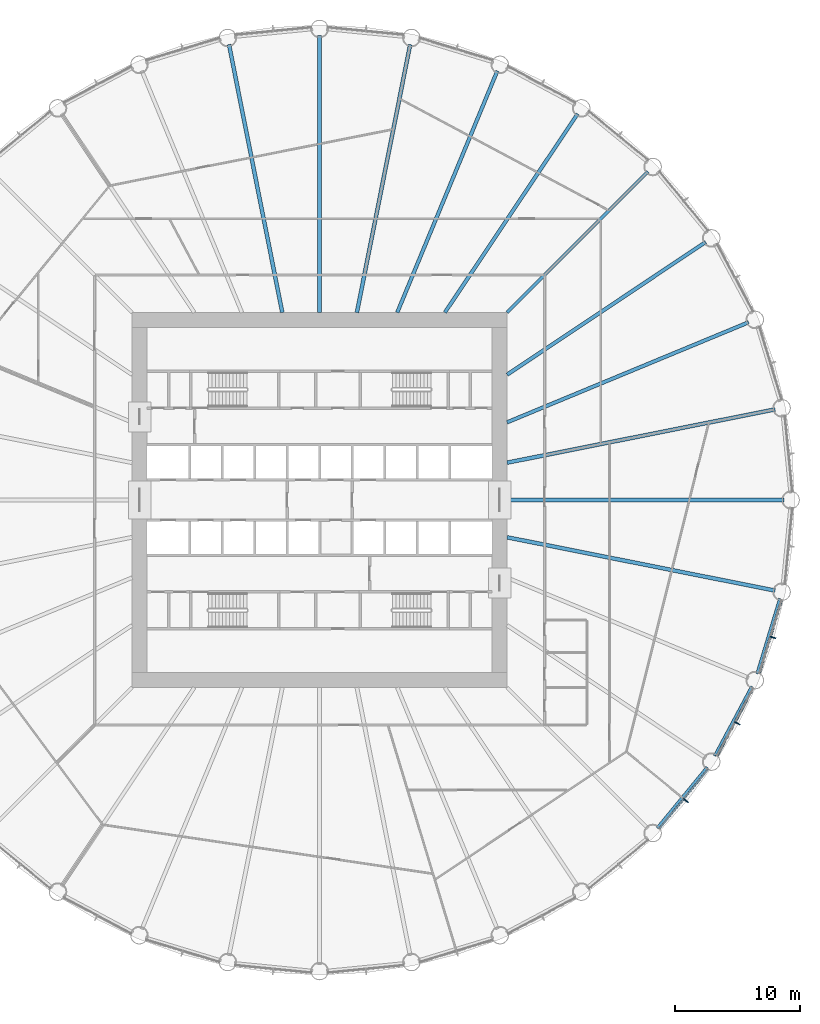
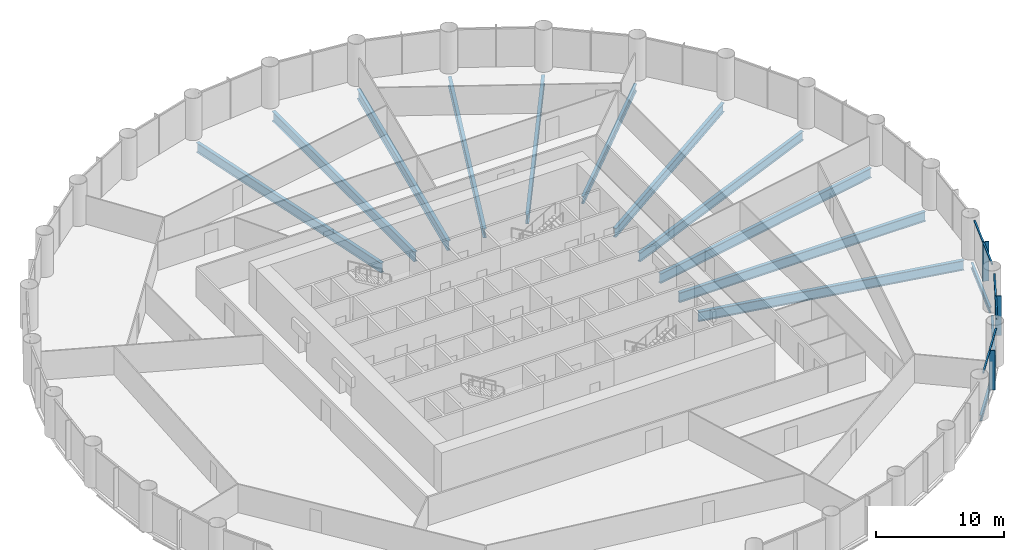
# One storey, part 5 of 15: 14 beams, 9 members, 3 elements without a shape of their own.
"""IFC4 building model written with IfcOpenShell, lengths in metres."""

from ifc_helpers import new_model, si_unit, direction, frame, origin, origin_2d, place, context, subcontext, project, spatial, rectangle, i_section, extrude, material, material_profile, profile_set, type_object, element, aggregate, save


model = new_model("IFC4")

# Units and contexts
model_context = context("Model", 3, precision=1e-05, world=origin(), true_north=direction((0.0, 1.0)))
body_context = subcontext(model_context, "Body", "Model", "MODEL_VIEW")
ifc_project = project(units=[si_unit("LENGTHUNIT", "METRE"), si_unit("AREAUNIT", "SQUARE_METRE"), si_unit("VOLUMEUNIT", "CUBIC_METRE"), si_unit("PLANEANGLEUNIT", "RADIAN"), si_unit("MASSUNIT", "GRAM", prefix="KILO")], contexts=[model_context])

# Site, building, storey
site_placement = place(None, origin())
site = spatial("IfcSite", under=ifc_project, at=site_placement, CompositionType="ELEMENT")
building_placement = place(site_placement, origin())
building = spatial("IfcBuilding", under=site, at=building_placement, Name="Corvane Civic Tower", CompositionType="ELEMENT")
storey_placement = place(building_placement, frame((0.0, 0.0, 69.0)))
storey = spatial("IfcBuildingStorey", under=building, at=storey_placement, Name="L15", CompositionType="ELEMENT", Elevation=69.0)

# Beams
ifc_material_1 = material(Name="Steel ASTM A992 Gr 50", Category="steel")
ifc_material_profile_1 = material_profile(ifc_material_1, i_section(OverallWidth=0.209228515625, OverallDepth=0.533447265625, WebThickness=0.01025390625, FlangeThickness=0.015625, at=origin_2d()), Name="W21X62")
ifc_profile_set_1 = profile_set([ifc_material_profile_1], Name="Steel ASTM A992 Gr 50")
beam_type_1 = type_object("IfcBeamType", Name="EDGE BEAM W21X62", PredefinedType="BEAM", material=ifc_profile_set_1)
for number, where, z_axis, x_axis, name in (
    (1, (36.81591796875, -7.88134765625, -0.566650390625), (-0.290273452184, -0.956943740748, 0.0), (0.956943740748, -0.290273452184, 0.0), "BM-L15-E10"),
    (2, (34.571044921875, -14.912353515625, -0.566650390625), (-0.471405897311, -0.881916367906, 0.0), (0.881916367906, -0.471405897311, 0.0), "BM-L15-E11"),
):
    element("IfcBeam", number, at=place(storey_placement, frame(where, z_axis=z_axis, x_axis=x_axis)), inside=storey, type_object=beam_type_1, Name=name, PredefinedType="BEAM", context=body_context, shape_type="SweptSolid", body=[
        extrude(i_section(OverallWidth=0.209228515625, OverallDepth=0.533447265625, WebThickness=0.01025390625, FlangeThickness=0.015625, at=origin_2d()), origin(), (0.0, 0.0, 1.0), 6.290283203125),
    ])
beam_1_placement = place(storey_placement, frame((30.99755859375, -21.3701171875, -0.566650390625), z_axis=(-0.634386787141, -0.773015785286, 0.0), x_axis=(0.773015785286, -0.634386787141, 0.0)))
element("IfcBeam", 3, at=beam_1_placement, inside=storey, type_object=beam_type_1, Name="BM-L15-E12", PredefinedType="BEAM", context=body_context, shape_type="SweptSolid", body=[
    extrude(i_section(OverallWidth=0.209228515625, OverallDepth=0.533447265625, WebThickness=0.01025390625, FlangeThickness=0.015625, at=origin_2d()), origin(), (0.0, 0.0, 1.0), 6.290771484375),
])
ifc_material_2 = material(Name="Steel ASTM A992 Gr 50", Category="steel")
ifc_material_profile_2 = material_profile(ifc_material_2, i_section(OverallWidth=0.256591796875, OverallDepth=0.693359375, WebThickness=0.014404296875, FlangeThickness=0.023681640625, at=origin_2d()), Name="W27X114")
ifc_profile_set_2 = profile_set([ifc_material_profile_2], Name="Steel ASTM A992 Gr 50")
beam_type_2 = type_object("IfcBeamType", Name="FLOOR GIRDER W27X114", PredefinedType="BEAM", material=ifc_profile_set_2)
beam_2_placement = place(storey_placement, frame((15.0, 15.0, -0.646728515625), z_axis=(0.707106781187, 0.707106781187, 0.0), x_axis=(-0.707106781187, 0.707106781187, 0.0)))
element("IfcBeam", 4, at=beam_2_placement, inside=storey, type_object=beam_type_2, Name="BM-L15-G05", PredefinedType="BEAM", context=body_context, shape_type="SweptSolid", body=[
    extrude(i_section(OverallWidth=0.256591796875, OverallDepth=0.693359375, WebThickness=0.014404296875, FlangeThickness=0.023681640625, at=origin_2d()), origin(), (0.0, 0.0, 1.0), 15.936767578125),
])
ifc_material_3 = material(Name="Steel ASTM A992 Gr 50", Category="steel")
ifc_material_profile_3 = material_profile(ifc_material_3, i_section(OverallWidth=0.2919921875, OverallDepth=0.8583984375, WebThickness=0.01708984375, FlangeThickness=0.031005859375, at=origin_2d()), Name="W33X169")
ifc_profile_set_3 = profile_set([ifc_material_profile_3], Name="Steel ASTM A992 Gr 50")
beam_type_3 = type_object("IfcBeamType", Name="FLOOR GIRDER W33X169", PredefinedType="BEAM", material=ifc_profile_set_3)
beam_3_placement = place(storey_placement, frame((6.213134765625, 15.0, -0.729248046875), z_axis=(0.382692360381, 0.923875834355, 0.0), x_axis=(-0.923875834355, 0.382692360381, 0.0)))
element("IfcBeam", 5, at=beam_3_placement, inside=storey, type_object=beam_type_3, Name="BM-L15-G03", PredefinedType="BEAM", context=body_context, shape_type="SweptSolid", body=[
    extrude(i_section(OverallWidth=0.2919921875, OverallDepth=0.8583984375, WebThickness=0.01708984375, FlangeThickness=0.031005859375, at=origin_2d()), origin(), (0.0, 0.0, 1.0), 20.9140625),
])
for number, where, z_axis, x_axis, name in (
    (6, (10.022705078125, 15.0, -0.729248046875), (0.555566681385, 0.831471985418, 0.0), (-0.831471985418, 0.555566681385, 0.0), "BM-L15-G04"),
    (7, (15.0, 10.022705078125, -0.729248046875), (0.831471985418, 0.555566681385, 0.0), (-0.555566681385, 0.831471985418, 0.0), "BM-L15-G06"),
):
    element("IfcBeam", number, at=place(storey_placement, frame(where, z_axis=z_axis, x_axis=x_axis)), inside=storey, type_object=beam_type_3, Name=name, PredefinedType="BEAM", context=body_context, shape_type="SweptSolid", body=[
        extrude(i_section(OverallWidth=0.2919921875, OverallDepth=0.8583984375, WebThickness=0.01708984375, FlangeThickness=0.031005859375, at=origin_2d()), origin(), (0.0, 0.0, 1.0), 19.109619140625),
    ])
beam_4_placement = place(storey_placement, frame((15.0, 6.213134765625, -0.729248046875), z_axis=(0.923875834355, 0.382692360381, 0.0), x_axis=(-0.382692360381, 0.923875834355, 0.0)))
element("IfcBeam", 8, at=beam_4_placement, inside=storey, type_object=beam_type_3, Name="BM-L15-G07", PredefinedType="BEAM", context=body_context, shape_type="SweptSolid", body=[
    extrude(i_section(OverallWidth=0.2919921875, OverallDepth=0.8583984375, WebThickness=0.01708984375, FlangeThickness=0.031005859375, at=origin_2d()), origin(), (0.0, 0.0, 1.0), 20.9140625),
])
ifc_material_4 = material(Name="Steel ASTM A992 Gr 50", Category="steel")
ifc_material_profile_4 = material_profile(ifc_material_4, i_section(OverallWidth=0.307373046875, OverallDepth=0.927001953125, WebThickness=0.01953125, FlangeThickness=0.031982421875, at=origin_2d()), Name="W36X194")
ifc_profile_set_4 = profile_set([ifc_material_profile_4], Name="Steel ASTM A992 Gr 50")
beam_type_4 = type_object("IfcBeamType", Name="FLOOR GIRDER W36X194", PredefinedType="BEAM", material=ifc_profile_set_4)
beam_5_placement = place(storey_placement, frame((0.0, 15.0, -0.763671875), z_axis=(0.0, 1.0, 0.0), x_axis=(-1.0, 0.0, 0.0)))
element("IfcBeam", 9, at=beam_5_placement, inside=storey, type_object=beam_type_4, Name="BM-L15-G01", PredefinedType="BEAM", context=body_context, shape_type="SweptSolid", body=[
    extrude(i_section(OverallWidth=0.307373046875, OverallDepth=0.927001953125, WebThickness=0.01953125, FlangeThickness=0.031982421875, at=origin_2d()), origin(), (0.0, 0.0, 1.0), 22.14990234375),
])
for number, where, z_axis, x_axis, name in (
    (10, (2.983642578125, 15.0, -0.763671875), (0.195089219638, 0.980785499679, 0.0), (-0.980785499679, 0.195089219638, 0.0), "BM-L15-G02"),
    (11, (15.0, 2.983642578125, -0.763671875), (0.980785499679, 0.195089219638, 0.0), (-0.195089219638, 0.980785499679, 0.0), "BM-L15-G08"),
):
    element("IfcBeam", number, at=place(storey_placement, frame(where, z_axis=z_axis, x_axis=x_axis)), inside=storey, type_object=beam_type_4, Name=name, PredefinedType="BEAM", context=body_context, shape_type="SweptSolid", body=[
        extrude(i_section(OverallWidth=0.307373046875, OverallDepth=0.927001953125, WebThickness=0.01953125, FlangeThickness=0.031982421875, at=origin_2d()), origin(), (0.0, 0.0, 1.0), 21.856201171875),
    ])
beam_6_placement = place(storey_placement, frame((15.0, 0.0, -0.763671875), z_axis=(1.0, 0.0, 0.0), x_axis=(0.0, 1.0, 0.0)))
element("IfcBeam", 12, at=beam_6_placement, inside=storey, type_object=beam_type_4, Name="BM-L15-G09", PredefinedType="BEAM", context=body_context, shape_type="SweptSolid", body=[
    extrude(i_section(OverallWidth=0.307373046875, OverallDepth=0.927001953125, WebThickness=0.01953125, FlangeThickness=0.031982421875, at=origin_2d()), origin(), (0.0, 0.0, 1.0), 22.14990234375),
])
for number, where, z_axis, x_axis, name in (
    (13, (15.0, -2.983642578125, -0.763671875), (0.980785499679, -0.195089219638, 0.0), (0.195089219638, 0.980785499679, 0.0), "BM-L15-G10"),
    (14, (-2.983642578125, 15.0, -0.763671875), (-0.195089219638, 0.980785499679, 0.0), (-0.980785499679, -0.195089219638, 0.0), "BM-L15-G32"),
):
    element("IfcBeam", number, at=place(storey_placement, frame(where, z_axis=z_axis, x_axis=x_axis)), inside=storey, type_object=beam_type_4, Name=name, PredefinedType="BEAM", context=body_context, shape_type="SweptSolid", body=[
        extrude(i_section(OverallWidth=0.307373046875, OverallDepth=0.927001953125, WebThickness=0.01953125, FlangeThickness=0.031982421875, at=origin_2d()), origin(), (0.0, 0.0, 1.0), 21.856201171875),
    ])

# Curtain wall, members
ifc_material_5 = material(Name="Anodised aluminium bronze", Category="aluminium")
curtain_wall_type = type_object("IfcCurtainWallType", Name="TOWER CW-T1 STICK CURTAIN WALL", PredefinedType="NOTDEFINED", material=ifc_material_5)
curtain_wall_1_placement = place(storey_placement, origin())
curtain_wall_1 = element("IfcCurtainWall", 15, at=curtain_wall_1_placement, inside=storey, type_object=curtain_wall_type, Name="Curtain wall CW-T1 L15 bay 10", PredefinedType="NOTDEFINED")
ifc_material_6 = material(Name="Anodised aluminium bronze", Category="aluminium")
ifc_material_profile_5 = material_profile(ifc_material_6, rectangle(XDim=0.139892578125, YDim=0.1201171875, at=origin_2d()), Name="TOWER CW-T1 TRANSOM 140x120")
ifc_profile_set_5 = profile_set([ifc_material_profile_5], Name="Anodised aluminium bronze")
member_type_1 = type_object("IfcMemberType", Name="TOWER CW-T1 TRANSOM 140x120", PredefinedType="USERDEFINED", material=ifc_profile_set_5)
member_1_placement = place(storey_placement, frame((36.959228515625, -8.02587890625, 3.68994140625), z_axis=(-0.290279914268, -0.956941780555, 0.0), x_axis=(0.956941780555, -0.290279914268, 0.0)))
member_1 = element("IfcMember", 16, at=member_1_placement, type_object=member_type_1, Name="Transom CW-T1 L15 10.1", ObjectType="TRANSOM", PredefinedType="USERDEFINED", context=body_context, shape_type="SweptSolid", body=[
    extrude(rectangle(XDim=0.139892578125, YDim=0.1201171875, at=origin_2d()), origin(), (0.0, 0.0, 1.0), 3.008544921875),
])
member_2_placement = place(storey_placement, frame((36.062744140625, -10.9814453125, 3.68994140625), z_axis=(-0.290279914268, -0.956941780555, 0.0), x_axis=(0.956941780555, -0.290279914268, 0.0)))
member_2 = element("IfcMember", 17, at=member_2_placement, type_object=member_type_1, Name="Transom CW-T1 L15 10.2", ObjectType="TRANSOM", PredefinedType="USERDEFINED", context=body_context, shape_type="SweptSolid", body=[
    extrude(rectangle(XDim=0.139892578125, YDim=0.1201171875, at=origin_2d()), origin(), (0.0, 0.0, 1.0), 3.008544921875),
])

curtain_wall_2_placement = place(storey_placement, origin())
curtain_wall_2 = element("IfcCurtainWall", 18, at=curtain_wall_2_placement, inside=storey, type_object=curtain_wall_type, Name="Curtain wall CW-T1 L15 bay 11", PredefinedType="NOTDEFINED")
member_3_placement = place(storey_placement, frame((34.683349609375, -15.08203125, 3.68994140625), z_axis=(-0.471392506424, -0.881923525532, 0.0), x_axis=(0.881923525532, -0.471392506424, 0.0)))
member_3 = element("IfcMember", 19, at=member_3_placement, type_object=member_type_1, Name="Transom CW-T1 L15 11.1", ObjectType="TRANSOM", PredefinedType="USERDEFINED", context=body_context, shape_type="SweptSolid", body=[
    extrude(rectangle(XDim=0.139892578125, YDim=0.1201171875, at=origin_2d()), origin(), (0.0, 0.0, 1.0), 3.008544921875),
])
member_4_placement = place(storey_placement, frame((33.2275390625, -17.805908203125, 3.68994140625), z_axis=(-0.471392506424, -0.881923525532, 0.0), x_axis=(0.881923525532, -0.471392506424, 0.0)))
member_4 = element("IfcMember", 20, at=member_4_placement, type_object=member_type_1, Name="Transom CW-T1 L15 11.2", ObjectType="TRANSOM", PredefinedType="USERDEFINED", context=body_context, shape_type="SweptSolid", body=[
    extrude(rectangle(XDim=0.139892578125, YDim=0.1201171875, at=origin_2d()), origin(), (0.0, 0.0, 1.0), 3.008544921875),
])

curtain_wall_3_placement = place(storey_placement, origin())
curtain_wall_3 = element("IfcCurtainWall", 21, at=curtain_wall_3_placement, inside=storey, type_object=curtain_wall_type, Name="Curtain wall CW-T1 L15 bay 12", PredefinedType="NOTDEFINED")
member_5_placement = place(storey_placement, frame((31.074462890625, -21.55859375, 3.68994140625), z_axis=(-0.634355161466, -0.773041738279, 0.0), x_axis=(0.773041738279, -0.634355161466, 0.0)))
member_5 = element("IfcMember", 22, at=member_5_placement, type_object=member_type_1, Name="Transom CW-T1 L15 12.1", ObjectType="TRANSOM", PredefinedType="USERDEFINED", context=body_context, shape_type="SweptSolid", body=[
    extrude(rectangle(XDim=0.139892578125, YDim=0.1201171875, at=origin_2d()), origin(), (0.0, 0.0, 1.0), 3.008544921875),
])
member_6_placement = place(storey_placement, frame((29.115234375, -23.946044921875, 3.68994140625), z_axis=(-0.634403652865, -0.773001943873, 0.0), x_axis=(0.773001943873, -0.634403652865, 0.0)))
member_6 = element("IfcMember", 23, at=member_6_placement, type_object=member_type_1, Name="Transom CW-T1 L15 12.2", ObjectType="TRANSOM", PredefinedType="USERDEFINED", context=body_context, shape_type="SweptSolid", body=[
    extrude(rectangle(XDim=0.139892578125, YDim=0.1201171875, at=origin_2d()), origin(), (0.0, 0.0, 1.0), 3.008544921875),
])

# Member
ifc_material_7 = material(Name="Anodised aluminium bronze", Category="aluminium")
ifc_material_profile_6 = material_profile(ifc_material_7, rectangle(XDim=0.080078125, YDim=0.5, at=origin_2d()), Name="TOWER FIN MULLION 80x500 BRONZE")
ifc_profile_set_6 = profile_set([ifc_material_profile_6], Name="Anodised aluminium bronze")
member_type_2 = type_object("IfcMemberType", Name="TOWER FIN MULLION 80x500 BRONZE", PredefinedType="MULLION", material=ifc_profile_set_6)
member_7_placement = place(storey_placement, frame((36.265625, -11.001220703125, 0.0), z_axis=(0.0, 0.0, 1.0), x_axis=(-0.290278397654, -0.956942240606, 0.0)))
member_7 = element("IfcMember", 24, at=member_7_placement, type_object=member_type_2, Name="Fin mullion 10 L15", PredefinedType="MULLION", context=body_context, shape_type="SweptSolid", body=[
    extrude(rectangle(XDim=0.080078125, YDim=0.5, at=origin_2d()), origin(), (0.0, 0.0, 1.0), 3.75),
])

aggregate(curtain_wall_1, [member_7, member_1, member_2])

member_8_placement = place(storey_placement, frame((33.422607421875, -17.86474609375, 0.0), z_axis=(0.0, 0.0, 1.0), x_axis=(-0.471403725359, -0.881917528864, 0.0)))
member_8 = element("IfcMember", 25, at=member_8_placement, type_object=member_type_2, Name="Fin mullion 11 L15", PredefinedType="MULLION", context=body_context, shape_type="SweptSolid", body=[
    extrude(rectangle(XDim=0.080078125, YDim=0.5, at=origin_2d()), origin(), (0.0, 0.0, 1.0), 3.75),
])

aggregate(curtain_wall_2, [member_8, member_3, member_4])

member_9_placement = place(storey_placement, frame((29.295166015625, -24.0419921875, 0.0), z_axis=(0.0, 0.0, 1.0), x_axis=(-0.634397218569, -0.773007224463, 0.0)))
member_9 = element("IfcMember", 26, at=member_9_placement, type_object=member_type_2, Name="Fin mullion 12 L15", PredefinedType="MULLION", context=body_context, shape_type="SweptSolid", body=[
    extrude(rectangle(XDim=0.080078125, YDim=0.5, at=origin_2d()), origin(), (0.0, 0.0, 1.0), 3.75),
])

aggregate(curtain_wall_3, [member_9, member_5, member_6])

save(model, "model.ifc")
